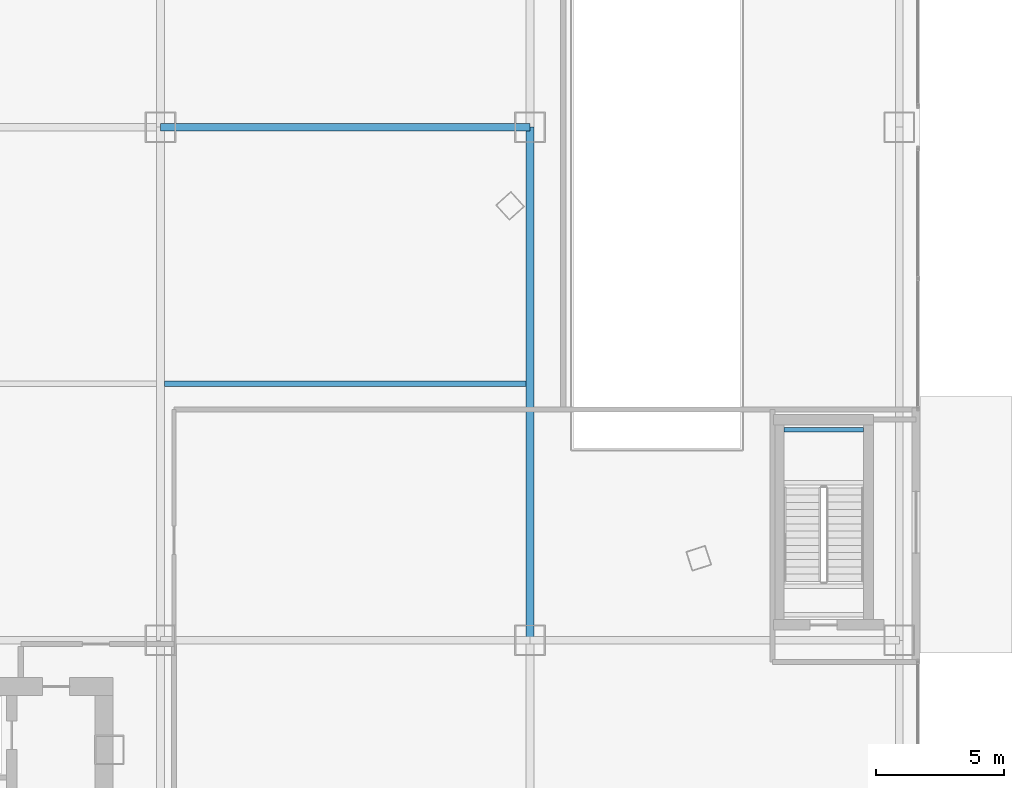
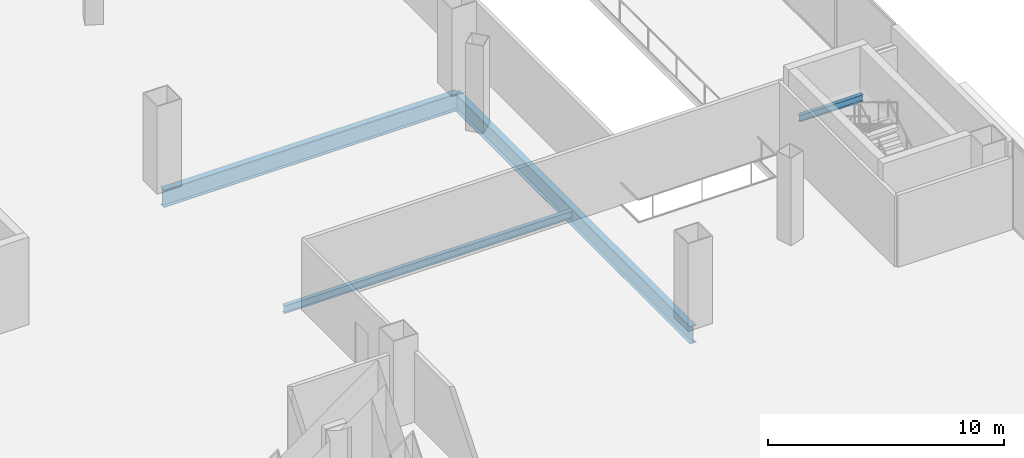
# One storey, part 28 of 58: 4 beams.
"""IFC4 building model written with IfcOpenShell, lengths in metres."""

from ifc_helpers import new_model, si_unit, direction, frame, origin, origin_2d, place, context, subcontext, project, spatial, i_section, extrude, source, transform, mapped, material, material_profile, profile_set, type_object, element, save


model = new_model("IFC4")

# Units and contexts
model_context = context("Model", 3, precision=1e-05, world=origin(), true_north=direction((0.0, 1.0)))
body_context = subcontext(model_context, "Body", "Model", "MODEL_VIEW")
ifc_project = project(units=[si_unit("LENGTHUNIT", "METRE"), si_unit("AREAUNIT", "SQUARE_METRE"), si_unit("VOLUMEUNIT", "CUBIC_METRE"), si_unit("PLANEANGLEUNIT", "RADIAN"), si_unit("MASSUNIT", "GRAM", prefix="KILO"), si_unit("THERMODYNAMICTEMPERATUREUNIT", "KELVIN"), si_unit("POWERUNIT", "WATT")], contexts=[model_context])

# Site, building, storey
site_placement = place(None, origin())
site = spatial("IfcSite", under=ifc_project, at=site_placement, CompositionType="ELEMENT")
building_placement = place(site_placement, origin())
building = spatial("IfcBuilding", under=site, at=building_placement, Name="Yunzhuo Pagoda Commons", CompositionType="ELEMENT")
storey_placement = place(building_placement, origin())
storey = spatial("IfcBuildingStorey", under=building, at=storey_placement, Name="L01", CompositionType="ELEMENT", Elevation=0.0)

# Beams
ifc_material = material(Name="Structural steel Q355B", Category="steel")
ifc_material_profile_1 = material_profile(ifc_material, i_section(OverallWidth=0.175048828125, OverallDepth=0.35009765625, WebThickness=0.007080078125, FlangeThickness=0.010986328125, at=origin_2d()), Name="Structural steel Q355B")
ifc_profile_set_1 = profile_set([ifc_material_profile_1], Name="Structural steel Q355B")
beam_type_1 = type_object("IfcBeamType", Name="B-JS2 Joist HN 350x175x7x11", PredefinedType="JOIST", material=ifc_profile_set_1)
shared_shape_1 = source(origin(), body_context, "Body", "SweptSolid", [
    extrude(i_section(OverallWidth=0.175048828125, OverallDepth=0.35009765625, WebThickness=0.007080078125, FlangeThickness=0.010986328125, at=origin_2d()), origin(), (0.0, 0.0, 1.0), 3.10009765625),
])
beam_1_placement = place(storey_placement, frame((86.699951171875, 50.199951171875, 2.02490234375), z_axis=(1.0, 0.0, 0.0), x_axis=(0.0, 1.0, 0.0)))
element("IfcBeam", 1, at=beam_1_placement, inside=storey, type_object=beam_type_1, Name="L01 PS4 landing support beam 3B", PredefinedType="JOIST", context=body_context, shape_type="MappedRepresentation", body=[
    mapped(shared_shape_1, transform((0.0, 0.0, 0.0), scale=1.0)),
])
ifc_material_profile_2 = material_profile(ifc_material, i_section(OverallWidth=0.300048828125, OverallDepth=0.89990234375, WebThickness=0.01611328125, FlangeThickness=0.028076171875, at=origin_2d()), Name="Structural steel Q355B")
ifc_profile_set_2 = profile_set([ifc_material_profile_2], Name="Structural steel Q355B")
beam_type_2 = type_object("IfcBeamType", Name="B-PD1 Beam HN 900x300x16x28", PredefinedType="BEAM", material=ifc_profile_set_2)
shared_shape_2 = source(origin(), body_context, "Body", "SweptSolid", [
    extrude(i_section(OverallWidth=0.300048828125, OverallDepth=0.89990234375, WebThickness=0.01611328125, FlangeThickness=0.028076171875, at=origin_2d()), origin(), (0.0, 0.0, 1.0), 14.400146484375),
])
beam_2_placement = place(storey_placement, frame((62.39990234375, 62.0, -0.729736328125), z_axis=(1.0, 0.0, 0.0), x_axis=(0.0, 1.0, 0.0)))
element("IfcBeam", 2, at=beam_2_placement, inside=storey, type_object=beam_type_2, Name="L01 podium girder EW 4.4", PredefinedType="BEAM", context=body_context, shape_type="MappedRepresentation", body=[
    mapped(shared_shape_2, transform((0.0, 0.0, 0.0), scale=1.0)),
])
shared_shape_3 = source(origin(), body_context, "Body", "SweptSolid", [
    extrude(i_section(OverallWidth=0.300048828125, OverallDepth=0.89990234375, WebThickness=0.01611328125, FlangeThickness=0.028076171875, at=origin_2d()), origin(), (0.0, 0.0, 1.0), 20.0),
])
beam_3_placement = place(storey_placement, frame((76.800048828125, 42.0, -0.729736328125), z_axis=(0.0, 1.0, 0.0), x_axis=(-1.0, 0.0, 0.0)))
element("IfcBeam", 3, at=beam_3_placement, inside=storey, type_object=beam_type_2, Name="L01 podium girder NS 5.3", PredefinedType="BEAM", context=body_context, shape_type="MappedRepresentation", body=[
    mapped(shared_shape_3, transform((0.0, 0.0, 0.0), scale=1.0)),
])
ifc_material_profile_3 = material_profile(ifc_material, i_section(OverallWidth=0.199951171875, OverallDepth=0.39990234375, WebThickness=0.008056640625, FlangeThickness=0.012939453125, at=origin_2d()), Name="Structural steel Q355B")
ifc_profile_set_3 = profile_set([ifc_material_profile_3], Name="Structural steel Q355B")
beam_type_3 = type_object("IfcBeamType", Name="B-JS1 Joist HN 400x200x8x13", PredefinedType="JOIST", material=ifc_profile_set_3)
shared_shape_4 = source(origin(), body_context, "Body", "SweptSolid", [
    extrude(i_section(OverallWidth=0.199951171875, OverallDepth=0.39990234375, WebThickness=0.008056640625, FlangeThickness=0.012939453125, at=origin_2d()), origin(), (0.0, 0.0, 1.0), 14.09033203125),
])
beam_4_placement = place(storey_placement, frame((62.554931640625, 52.0, -0.479736328125), z_axis=(1.0, 0.0, 0.0), x_axis=(0.0, 1.0, 0.0)))
element("IfcBeam", 4, at=beam_4_placement, inside=storey, type_object=beam_type_3, Name="L01 podium composite joist 4.3", PredefinedType="JOIST", context=body_context, shape_type="MappedRepresentation", body=[
    mapped(shared_shape_4, transform((0.0, 0.0, 0.0), scale=1.0)),
])

save(model, "model.ifc")
